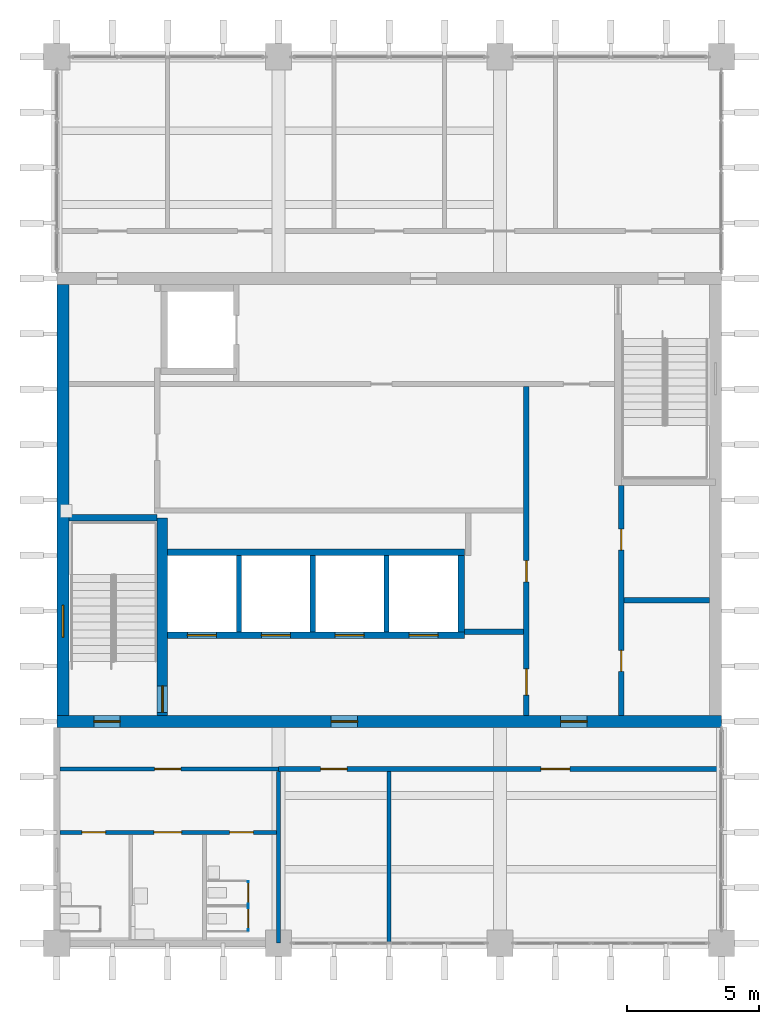
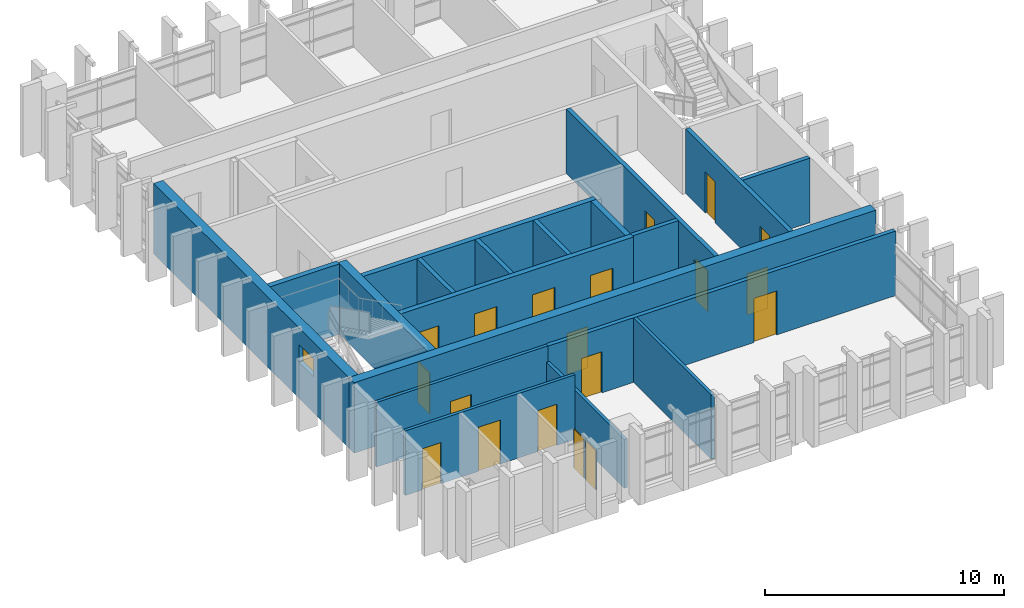
# One storey, part 7 of 11: 21 walls, 20 doors, 1 window, 21 openings.
"""IFC4 building model written with IfcOpenShell, lengths in metres."""

from ifc_helpers import new_model, si_unit, direction, frame, frame_2d, origin, place, context, subcontext, project, spatial, rectangle, extrude, material, layer, layer_set, type_object, element, fill, save


model = new_model("IFC4")

# Units and contexts
model_context = context("Model", 3, precision=1e-05, world=origin(), true_north=direction((0.0, 1.0)))
body_context = subcontext(model_context, "Body", "Model", "MODEL_VIEW")
ifc_project = project(units=[si_unit("LENGTHUNIT", "METRE"), si_unit("AREAUNIT", "SQUARE_METRE"), si_unit("VOLUMEUNIT", "CUBIC_METRE"), si_unit("PLANEANGLEUNIT", "RADIAN"), si_unit("MASSUNIT", "GRAM", prefix="KILO")], contexts=[model_context])

# Site, building, storey
site_placement = place(None, origin())
site = spatial("IfcSite", under=ifc_project, at=site_placement, CompositionType="ELEMENT")
building_placement = place(site_placement, origin())
building = spatial("IfcBuilding", under=site, at=building_placement, Name="Rulbaag Community and Learning Centre", CompositionType="ELEMENT")
storey_placement = place(building_placement, frame((0.0, 0.0, 21.60009765625)))
storey = spatial("IfcBuildingStorey", under=building, at=storey_placement, Name="L05", CompositionType="ELEMENT", Elevation=21.60009765625)

# Wall, opening, door
ifc_material_1 = material(Name="High pressure laminate", Category="wood")
ifc_layer_1 = layer(ifc_material_1, 0.0400390625)
ifc_layer_set_1 = layer_set([ifc_layer_1], Name="CP-40")
wall_type_1 = type_object("IfcWallType", Name="CP-40", PredefinedType="PARTITIONING", material=ifc_layer_set_1)
wall_1_placement = place(storey_placement, frame((150.050048828125, 84.469970703125, 0.0), z_axis=(0.0, 0.0, 1.0), x_axis=(0.0, 1.0, 0.0)))
wall_1 = element("IfcWall", 1, at=wall_1_placement, inside=storey, type_object=wall_type_1, Name="Cubicle partition", PredefinedType="PARTITIONING", context=body_context, shape_type="SweptSolid", body=[
    extrude(rectangle(XDim=0.900146484375, YDim=0.0400390625, at=frame_2d((0.4501953125, 0.0))), origin(), (0.0, 0.0, 1.0), 2.0),
])
opening_1_placement = place(wall_1_placement, frame((0.050048828125, 0.0, 0.0)))
opening_1 = element("IfcOpeningElement", 2, at=opening_1_placement, cuts=wall_1, Name="Opening L05-D013", PredefinedType="OPENING", context=body_context, shape_type="SweptSolid", body=[
    extrude(rectangle(XDim=0.800048828125, YDim=2.0, at=frame_2d((0.39990234375, 1.0))), frame((0.0, 0.030029296875, 0.0), z_axis=(0.0, -1.0, 0.0), x_axis=(1.0, 0.0, 0.0)), (0.0, 0.0, 1.0), 0.06005859375),
])
door_type_1 = type_object("IfcDoorType", Name="DC-80", OperationType="SINGLE_SWING_LEFT", PredefinedType="DOOR", material=ifc_material_1)
door_1_placement = place(opening_1_placement, origin())
door_1 = element("IfcDoor", 3, at=door_1_placement, inside=storey, type_object=door_type_1, Name="Cubicle door", OperationType="SINGLE_SWING_LEFT", OverallHeight=2.0, OverallWidth=0.800048828125, PredefinedType="DOOR", context=body_context, shape_type="SweptSolid", body=[
    extrude(rectangle(XDim=0.800048828125, YDim=2.0, at=frame_2d((0.39990234375, 1.0))), frame((0.0, 0.019775390625, 0.0), z_axis=(0.0, -1.0, 0.0), x_axis=(1.0, 0.0, 0.0)), (0.0, 0.0, 1.0), 0.03955078125),
])
fill(opening_1, door_1)

wall_2_placement = place(storey_placement, frame((150.050048828125, 85.449951171875, 0.0), z_axis=(0.0, 0.0, 1.0), x_axis=(0.0, 1.0, 0.0)))
wall_2 = element("IfcWall", 4, at=wall_2_placement, inside=storey, type_object=wall_type_1, Name="Cubicle partition", PredefinedType="PARTITIONING", context=body_context, shape_type="SweptSolid", body=[
    extrude(rectangle(XDim=0.900146484375, YDim=0.0400390625, at=frame_2d((0.4501953125, 0.0))), origin(), (0.0, 0.0, 1.0), 2.0),
])
opening_2_placement = place(wall_2_placement, frame((0.050048828125, 0.0, 0.0)))
opening_2 = element("IfcOpeningElement", 5, at=opening_2_placement, cuts=wall_2, Name="Opening L05-D014", PredefinedType="OPENING", context=body_context, shape_type="SweptSolid", body=[
    extrude(rectangle(XDim=0.800048828125, YDim=2.0, at=frame_2d((0.39990234375, 1.0))), frame((0.0, 0.030029296875, 0.0), z_axis=(0.0, -1.0, 0.0), x_axis=(1.0, 0.0, 0.0)), (0.0, 0.0, 1.0), 0.06005859375),
])
door_2_placement = place(opening_2_placement, origin())
door_2 = element("IfcDoor", 6, at=door_2_placement, inside=storey, type_object=door_type_1, Name="Cubicle door", OperationType="SINGLE_SWING_LEFT", OverallHeight=2.0, OverallWidth=0.800048828125, PredefinedType="DOOR", context=body_context, shape_type="SweptSolid", body=[
    extrude(rectangle(XDim=0.800048828125, YDim=2.0, at=frame_2d((0.39990234375, 1.0))), frame((0.0, 0.019775390625, 0.0), z_axis=(0.0, -1.0, 0.0), x_axis=(1.0, 0.0, 0.0)), (0.0, 0.0, 1.0), 0.03955078125),
])
fill(opening_2, door_2)

# Wall, openings, doors
ifc_material_2 = material(Name="Concrete blockwork", Category="masonry")
ifc_layer_2 = layer(ifc_material_2, 0.199951171875)
ifc_layer_set_2 = layer_set([ifc_layer_2], Name="FW-200 FIRE WALL 200")
wall_type_2 = type_object("IfcWallType", Name="FW-200 FIRE WALL 200", PredefinedType="SOLIDWALL", material=ifc_layer_set_2)
wall_3_placement = place(storey_placement, frame((151.199951171875, 90.60009765625, 0.0), z_axis=(0.0, 0.0, 1.0), x_axis=(1.0, 0.0, 0.0)))
wall_3 = element("IfcWall", 7, at=wall_3_placement, inside=storey, type_object=wall_type_2, Name="Fire wall L05 3", PredefinedType="SOLIDWALL", context=body_context, shape_type="SweptSolid", body=[
    extrude(rectangle(XDim=16.800048828125, YDim=0.199951171875, at=frame_2d((8.39990234375, 0.0))), origin(), (0.0, 0.0, 1.0), 3.2998046875),
])
opening_3_placement = place(wall_3_placement, frame((1.60009765625, 0.0, 0.0)))
opening_3 = element("IfcOpeningElement", 8, at=opening_3_placement, cuts=wall_3, Name="Opening L05-D017", PredefinedType="OPENING", context=body_context, shape_type="SweptSolid", body=[
    extrude(rectangle(XDim=1.0, YDim=2.10009765625, at=frame_2d((0.5, 1.050048828125))), frame((0.0, 0.10986328125, 0.0), z_axis=(0.0, -1.0, 0.0), x_axis=(1.0, 0.0, 0.0)), (0.0, 0.0, 1.0), 0.219970703125),
])
opening_4_placement = place(wall_3_placement, frame((9.949951171875, 0.0, 0.0)))
opening_4 = element("IfcOpeningElement", 9, at=opening_4_placement, cuts=wall_3, Name="Opening L05-D027", PredefinedType="OPENING", context=body_context, shape_type="SweptSolid", body=[
    extrude(rectangle(XDim=1.10009765625, YDim=2.25, at=frame_2d((0.550048828125, 1.125))), frame((0.0, 0.10986328125, 0.0), z_axis=(0.0, -1.0, 0.0), x_axis=(1.0, 0.0, 0.0)), (0.0, 0.0, 1.0), 0.219970703125),
])
ifc_material_3 = material(Name="Timber", Category="wood")
door_type_2 = type_object("IfcDoorType", Name="D-1100 OFFICE SUITE ENTRANCE DOOR 1100 x 2250", OperationType="SINGLE_SWING_LEFT", PredefinedType="DOOR", material=ifc_material_3)
door_3_placement = place(opening_4_placement, origin())
door_3 = element("IfcDoor", 10, at=door_3_placement, inside=storey, type_object=door_type_2, Name="Door L05-D027", OperationType="SINGLE_SWING_RIGHT", OverallHeight=2.25, OverallWidth=1.10009765625, PredefinedType="DOOR", context=body_context, shape_type="SweptSolid", body=[
    extrude(rectangle(XDim=1.10009765625, YDim=2.25, at=frame_2d((0.550048828125, 1.125))), frame((0.0, 0.02490234375, 0.0), z_axis=(0.0, -1.0, 0.0), x_axis=(1.0, 0.0, 0.0)), (0.0, 0.0, 1.0), 0.050048828125),
])
fill(opening_4, door_3)
ifc_material_4 = material(Name="Galvanised steel", Category="steel")
door_type_3 = type_object("IfcDoorType", Name="FD-1000 FIRE DOOR 1000 x 2100", OperationType="SINGLE_SWING_LEFT", PredefinedType="DOOR", material=ifc_material_4)
door_4_placement = place(opening_3_placement, origin())
door_4 = element("IfcDoor", 11, at=door_4_placement, inside=storey, type_object=door_type_3, Name="Door L05-D017", OperationType="SINGLE_SWING_LEFT", OverallHeight=2.10009765625, OverallWidth=1.0, PredefinedType="DOOR", context=body_context, shape_type="SweptSolid", body=[
    extrude(rectangle(XDim=1.0, YDim=2.10009765625, at=frame_2d((0.5, 1.050048828125))), frame((0.0, 0.02490234375, 0.0), z_axis=(0.0, -1.0, 0.0), x_axis=(1.0, 0.0, 0.0)), (0.0, 0.0, 1.0), 0.050048828125),
])
fill(opening_3, door_4)

# Walls
wall_4_placement = place(storey_placement, frame((158.25, 95.800048828125, 0.0), z_axis=(0.0, 0.0, 1.0), x_axis=(1.0, 0.0, 0.0)))
element("IfcWall", 12, at=wall_4_placement, inside=storey, type_object=wall_type_2, Name="Fire wall L05 5", PredefinedType="SOLIDWALL", context=body_context, shape_type="SweptSolid", body=[
    extrude(rectangle(XDim=2.25, YDim=0.199951171875, at=frame_2d((1.125, 0.0))), origin(), (0.0, 0.0, 1.0), 3.2998046875),
])
wall_5_placement = place(storey_placement, frame((164.300048828125, 97.0, 0.0), z_axis=(0.0, 0.0, 1.0), x_axis=(1.0, 0.0, 0.0)))
element("IfcWall", 13, at=wall_5_placement, inside=storey, type_object=wall_type_2, Name="Fire wall L05 6", PredefinedType="SOLIDWALL", context=body_context, shape_type="SweptSolid", body=[
    extrude(rectangle(XDim=3.25, YDim=0.199951171875, at=frame_2d((1.625, 0.0))), origin(), (0.0, 0.0, 1.0), 3.2998046875),
])

# Wall, openings, doors
wall_6_placement = place(storey_placement, frame((160.60009765625, 92.625, 0.0), z_axis=(0.0, 0.0, 1.0), x_axis=(0.0, 1.0, 0.0)))
wall_6 = element("IfcWall", 14, at=wall_6_placement, inside=storey, type_object=wall_type_2, Name="Fire wall L05 22", PredefinedType="SOLIDWALL", context=body_context, shape_type="SweptSolid", body=[
    extrude(rectangle(XDim=12.47509765625, YDim=0.199951171875, at=frame_2d((6.237548828125, 0.0))), origin(), (0.0, 0.0, 1.0), 3.2998046875),
])
opening_5_placement = place(wall_6_placement, frame((5.074951171875, 0.0, 0.0)))
opening_5 = element("IfcOpeningElement", 15, at=opening_5_placement, cuts=wall_6, Name="Opening L05-D026", PredefinedType="OPENING", context=body_context, shape_type="SweptSolid", body=[
    extrude(rectangle(XDim=0.800048828125, YDim=2.10009765625, at=frame_2d((0.39990234375, 1.050048828125))), frame((0.0, 0.10986328125, 0.0), z_axis=(0.0, -1.0, 0.0), x_axis=(1.0, 0.0, 0.0)), (0.0, 0.0, 1.0), 0.219970703125),
])
opening_6_placement = place(wall_6_placement, frame((0.77490234375, 0.0, 0.0)))
opening_6 = element("IfcOpeningElement", 16, at=opening_6_placement, cuts=wall_6, Name="Opening L05-D025", PredefinedType="OPENING", context=body_context, shape_type="SweptSolid", body=[
    extrude(rectangle(XDim=1.0, YDim=2.10009765625, at=frame_2d((0.5, 1.050048828125))), frame((0.0, 0.10986328125, 0.0), z_axis=(0.0, -1.0, 0.0), x_axis=(1.0, 0.0, 0.0)), (0.0, 0.0, 1.0), 0.219970703125),
])
door_5_placement = place(opening_6_placement, origin())
door_5 = element("IfcDoor", 17, at=door_5_placement, inside=storey, type_object=door_type_3, Name="Door L05-D025", OperationType="SINGLE_SWING_LEFT", OverallHeight=2.10009765625, OverallWidth=1.0, PredefinedType="DOOR", context=body_context, shape_type="SweptSolid", body=[
    extrude(rectangle(XDim=1.0, YDim=2.10009765625, at=frame_2d((0.5, 1.050048828125))), frame((0.0, 0.02490234375, 0.0), z_axis=(0.0, -1.0, 0.0), x_axis=(1.0, 0.0, 0.0)), (0.0, 0.0, 1.0), 0.050048828125),
])
fill(opening_6, door_5)
door_type_4 = type_object("IfcDoorType", Name="FDR-800 RISER FIRE DOOR 800 x 2100", OperationType="SINGLE_SWING_LEFT", PredefinedType="DOOR", material=ifc_material_4)
door_6_placement = place(opening_5_placement, origin())
door_6 = element("IfcDoor", 18, at=door_6_placement, inside=storey, type_object=door_type_4, Name="Riser door L05-D022", OperationType="SINGLE_SWING_RIGHT", OverallHeight=2.10009765625, OverallWidth=0.800048828125, PredefinedType="DOOR", context=body_context, shape_type="SweptSolid", body=[
    extrude(rectangle(XDim=0.800048828125, YDim=2.10009765625, at=frame_2d((0.39990234375, 1.050048828125))), frame((0.0, 0.02490234375, 0.0), z_axis=(0.0, -1.0, 0.0), x_axis=(1.0, 0.0, 0.0)), (0.0, 0.0, 1.0), 0.050048828125),
])
fill(opening_5, door_6)

wall_7_placement = place(storey_placement, frame((164.199951171875, 92.625, 0.0), z_axis=(0.0, 0.0, 1.0), x_axis=(0.0, 1.0, 0.0)))
wall_7 = element("IfcWall", 19, at=wall_7_placement, inside=storey, type_object=wall_type_2, Name="Fire wall L05 24", PredefinedType="SOLIDWALL", context=body_context, shape_type="SweptSolid", body=[
    extrude(rectangle(XDim=8.72509765625, YDim=0.199951171875, at=frame_2d((4.362548828125, 0.0))), origin(), (0.0, 0.0, 1.0), 3.2998046875),
])
opening_7_placement = place(wall_7_placement, frame((1.675048828125, 0.0, 0.0)))
opening_7 = element("IfcOpeningElement", 20, at=opening_7_placement, cuts=wall_7, Name="Opening L05-D031", PredefinedType="OPENING", context=body_context, shape_type="SweptSolid", body=[
    extrude(rectangle(XDim=0.800048828125, YDim=2.10009765625, at=frame_2d((0.39990234375, 1.050048828125))), frame((0.0, 0.10986328125, 0.0), z_axis=(0.0, -1.0, 0.0), x_axis=(1.0, 0.0, 0.0)), (0.0, 0.0, 1.0), 0.219970703125),
])
opening_8_placement = place(wall_7_placement, frame((6.27490234375, 0.0, 0.0)))
opening_8 = element("IfcOpeningElement", 21, at=opening_8_placement, cuts=wall_7, Name="Opening L05-D032", PredefinedType="OPENING", context=body_context, shape_type="SweptSolid", body=[
    extrude(rectangle(XDim=0.800048828125, YDim=2.10009765625, at=frame_2d((0.39990234375, 1.050048828125))), frame((0.0, 0.10986328125, 0.0), z_axis=(0.0, -1.0, 0.0), x_axis=(1.0, 0.0, 0.0)), (0.0, 0.0, 1.0), 0.219970703125),
])
door_7_placement = place(opening_7_placement, origin())
door_7 = element("IfcDoor", 22, at=door_7_placement, inside=storey, type_object=door_type_4, Name="Riser door L05-D020", OperationType="SINGLE_SWING_LEFT", OverallHeight=2.10009765625, OverallWidth=0.800048828125, PredefinedType="DOOR", context=body_context, shape_type="SweptSolid", body=[
    extrude(rectangle(XDim=0.800048828125, YDim=2.10009765625, at=frame_2d((0.39990234375, 1.050048828125))), frame((0.0, 0.02490234375, 0.0), z_axis=(0.0, -1.0, 0.0), x_axis=(1.0, 0.0, 0.0)), (0.0, 0.0, 1.0), 0.050048828125),
])
fill(opening_7, door_7)
door_8_placement = place(opening_8_placement, origin())
door_8 = element("IfcDoor", 23, at=door_8_placement, inside=storey, type_object=door_type_4, Name="Riser door L05-D021", OperationType="SINGLE_SWING_RIGHT", OverallHeight=2.10009765625, OverallWidth=0.800048828125, PredefinedType="DOOR", context=body_context, shape_type="SweptSolid", body=[
    extrude(rectangle(XDim=0.800048828125, YDim=2.10009765625, at=frame_2d((0.39990234375, 1.050048828125))), frame((0.0, 0.02490234375, 0.0), z_axis=(0.0, -1.0, 0.0), x_axis=(1.0, 0.0, 0.0)), (0.0, 0.0, 1.0), 0.050048828125),
])
fill(opening_8, door_8)

ifc_layer_3 = layer(ifc_material_2, 0.14990234375)
ifc_layer_set_3 = layer_set([ifc_layer_3], Name="IP-150 PARTITION 150")
wall_type_3 = type_object("IfcWallType", Name="IP-150 PARTITION 150", PredefinedType="PARTITIONING", material=ifc_layer_set_3)
wall_8_placement = place(storey_placement, frame((142.925048828125, 88.199951171875, 0.0), z_axis=(0.0, 0.0, 1.0), x_axis=(1.0, 0.0, 0.0)))
wall_8 = element("IfcWall", 24, at=wall_8_placement, inside=storey, type_object=wall_type_3, Name="Partition L05 1", PredefinedType="PARTITIONING", context=body_context, shape_type="SweptSolid", body=[
    extrude(rectangle(XDim=8.199951171875, YDim=0.14990234375, at=frame_2d((4.10009765625, 0.0))), origin(), (0.0, 0.0, 1.0), 3.2998046875),
])
opening_9_placement = place(wall_8_placement, frame((0.824951171875, 0.0, 0.0)))
opening_9 = element("IfcOpeningElement", 25, at=opening_9_placement, cuts=wall_8, Name="Opening L05-D001", PredefinedType="OPENING", context=body_context, shape_type="SweptSolid", body=[
    extrude(rectangle(XDim=0.89990234375, YDim=2.10009765625, at=frame_2d((0.449951171875, 1.050048828125))), frame((0.0, 0.0849609375, 0.0), z_axis=(0.0, -1.0, 0.0), x_axis=(1.0, 0.0, 0.0)), (0.0, 0.0, 1.0), 0.169921875),
])
opening_10_placement = place(wall_8_placement, frame((3.550048828125, 0.0, 0.0)))
opening_10 = element("IfcOpeningElement", 26, at=opening_10_placement, cuts=wall_8, Name="Opening L05-D008", PredefinedType="OPENING", context=body_context, shape_type="SweptSolid", body=[
    extrude(rectangle(XDim=1.050048828125, YDim=2.25, at=frame_2d((0.52490234375, 1.125))), frame((0.0, 0.0849609375, 0.0), z_axis=(0.0, -1.0, 0.0), x_axis=(1.0, 0.0, 0.0)), (0.0, 0.0, 1.0), 0.169921875),
])
opening_11_placement = place(wall_8_placement, frame((6.425048828125, 0.0, 0.0)))
opening_11 = element("IfcOpeningElement", 27, at=opening_11_placement, cuts=wall_8, Name="Opening L05-D012", PredefinedType="OPENING", context=body_context, shape_type="SweptSolid", body=[
    extrude(rectangle(XDim=0.89990234375, YDim=2.10009765625, at=frame_2d((0.449951171875, 1.050048828125))), frame((0.0, 0.0849609375, 0.0), z_axis=(0.0, -1.0, 0.0), x_axis=(1.0, 0.0, 0.0)), (0.0, 0.0, 1.0), 0.169921875),
])
door_type_5 = type_object("IfcDoorType", Name="D-1050 ACCESSIBLE TOILET DOOR 1050 x 2250", OperationType="SINGLE_SWING_LEFT", PredefinedType="DOOR", material=ifc_material_3)
door_9_placement = place(opening_10_placement, origin())
door_9 = element("IfcDoor", 28, at=door_9_placement, inside=storey, type_object=door_type_5, Name="Door L05-D008", OperationType="SINGLE_SWING_LEFT", OverallHeight=2.25, OverallWidth=1.050048828125, PredefinedType="DOOR", context=body_context, shape_type="SweptSolid", body=[
    extrude(rectangle(XDim=1.050048828125, YDim=2.25, at=frame_2d((0.52490234375, 1.125))), frame((0.0, 0.02490234375, 0.0), z_axis=(0.0, -1.0, 0.0), x_axis=(1.0, 0.0, 0.0)), (0.0, 0.0, 1.0), 0.050048828125),
])
fill(opening_10, door_9)
door_type_6 = type_object("IfcDoorType", Name="DW-900 TOILET DOOR 900 x 2100", OperationType="SINGLE_SWING_LEFT", PredefinedType="DOOR", material=ifc_material_3)
door_10_placement = place(opening_9_placement, origin())
door_10 = element("IfcDoor", 29, at=door_10_placement, inside=storey, type_object=door_type_6, Name="Door L05-D001", OperationType="SINGLE_SWING_LEFT", OverallHeight=2.10009765625, OverallWidth=0.89990234375, PredefinedType="DOOR", context=body_context, shape_type="SweptSolid", body=[
    extrude(rectangle(XDim=0.89990234375, YDim=2.10009765625, at=frame_2d((0.449951171875, 1.050048828125))), frame((0.0, 0.02490234375, 0.0), z_axis=(0.0, -1.0, 0.0), x_axis=(1.0, 0.0, 0.0)), (0.0, 0.0, 1.0), 0.050048828125),
])
fill(opening_9, door_10)
door_11_placement = place(opening_11_placement, origin())
door_11 = element("IfcDoor", 30, at=door_11_placement, inside=storey, type_object=door_type_6, Name="Door L05-D012", OperationType="SINGLE_SWING_RIGHT", OverallHeight=2.10009765625, OverallWidth=0.89990234375, PredefinedType="DOOR", context=body_context, shape_type="SweptSolid", body=[
    extrude(rectangle(XDim=0.89990234375, YDim=2.10009765625, at=frame_2d((0.449951171875, 1.050048828125))), frame((0.0, 0.02490234375, 0.0), z_axis=(0.0, -1.0, 0.0), x_axis=(1.0, 0.0, 0.0)), (0.0, 0.0, 1.0), 0.050048828125),
])
fill(opening_11, door_11)

# Wall, opening, door
wall_9_placement = place(storey_placement, frame((142.925048828125, 90.60009765625, 0.0), z_axis=(0.0, 0.0, 1.0), x_axis=(1.0, 0.0, 0.0)))
wall_9 = element("IfcWall", 31, at=wall_9_placement, inside=storey, type_object=wall_type_3, Name="Partition L05 2", PredefinedType="PARTITIONING", context=body_context, shape_type="SweptSolid", body=[
    extrude(rectangle(XDim=8.27490234375, YDim=0.14990234375, at=frame_2d((4.137451171875, 0.0))), origin(), (0.0, 0.0, 1.0), 3.2998046875),
])
opening_12_placement = place(wall_9_placement, frame((3.574951171875, 0.0, 0.0)))
opening_12 = element("IfcOpeningElement", 32, at=opening_12_placement, cuts=wall_9, Name="Opening L05-D009", PredefinedType="OPENING", context=body_context, shape_type="SweptSolid", body=[
    extrude(rectangle(XDim=1.0, YDim=2.10009765625, at=frame_2d((0.5, 1.050048828125))), frame((0.0, 0.0849609375, 0.0), z_axis=(0.0, -1.0, 0.0), x_axis=(1.0, 0.0, 0.0)), (0.0, 0.0, 1.0), 0.169921875),
])
door_type_7 = type_object("IfcDoorType", Name="D-1000 DOOR 1000 x 2100", OperationType="SINGLE_SWING_LEFT", PredefinedType="DOOR", material=ifc_material_3)
door_12_placement = place(opening_12_placement, origin())
door_12 = element("IfcDoor", 33, at=door_12_placement, inside=storey, type_object=door_type_7, Name="Door L05-D009", OperationType="SINGLE_SWING_RIGHT", OverallHeight=2.10009765625, OverallWidth=1.0, PredefinedType="DOOR", context=body_context, shape_type="SweptSolid", body=[
    extrude(rectangle(XDim=1.0, YDim=2.10009765625, at=frame_2d((0.5, 1.050048828125))), frame((0.0, 0.02490234375, 0.0), z_axis=(0.0, -1.0, 0.0), x_axis=(1.0, 0.0, 0.0)), (0.0, 0.0, 1.0), 0.050048828125),
])
fill(opening_12, door_12)

# Walls
wall_10_placement = place(storey_placement, frame((151.199951171875, 84.0, 0.0), z_axis=(0.0, 0.0, 1.0), x_axis=(0.0, 1.0, 0.0)))
element("IfcWall", 34, at=wall_10_placement, inside=storey, type_object=wall_type_3, Name="Partition L05 17", PredefinedType="PARTITIONING", context=body_context, shape_type="SweptSolid", body=[
    extrude(rectangle(XDim=6.5, YDim=0.14990234375, at=frame_2d((3.25, 0.0))), origin(), (0.0, 0.0, 1.0), 2.5),
])
wall_11_placement = place(storey_placement, frame((155.39990234375, 84.0, 0.0), z_axis=(0.0, 0.0, 1.0), x_axis=(0.0, 1.0, 0.0)))
element("IfcWall", 35, at=wall_11_placement, inside=storey, type_object=wall_type_3, Name="Partition L05 19", PredefinedType="PARTITIONING", context=body_context, shape_type="SweptSolid", body=[
    extrude(rectangle(XDim=6.5, YDim=0.14990234375, at=frame_2d((3.25, 0.0))), origin(), (0.0, 0.0, 1.0), 3.2998046875),
])

# Wall, openings, doors
ifc_material_5 = material(Name="Concrete M60", Category="concrete")
ifc_layer_4 = layer(ifc_material_5, 0.449951171875)
ifc_layer_set_4 = layer_set([ifc_layer_4], Name="W1 Core wall 450 Concrete M60")
wall_type_4 = type_object("IfcWallType", Name="W1 Core wall 450 Concrete M60", PredefinedType="SHEAR", material=ifc_layer_set_4)
wall_12_placement = place(storey_placement, frame((142.800048828125, 92.39990234375, -0.25), z_axis=(0.0, 0.0, 1.0), x_axis=(1.0, 0.0, 0.0)))
wall_12 = element("IfcWall", 36, at=wall_12_placement, inside=storey, type_object=wall_type_4, Name="WL-CORE-S-L05", PredefinedType="SHEAR", context=body_context, shape_type="SweptSolid", body=[
    extrude(rectangle(XDim=25.199951171875, YDim=0.449951171875, at=frame_2d((12.60009765625, 0.0))), origin(), (0.0, 0.0, 1.0), 3.599853515625),
])
opening_13_placement = place(wall_12_placement, frame((1.39990234375, 0.0, 0.25)))
opening_13 = element("IfcOpeningElement", 37, at=opening_13_placement, cuts=wall_12, Name="Opening L05-D003", PredefinedType="OPENING", context=body_context, shape_type="SweptSolid", body=[
    extrude(rectangle(XDim=1.0, YDim=2.10009765625, at=frame_2d((0.5, 1.050048828125))), frame((0.0, 0.23486328125, 0.0), z_axis=(0.0, -1.0, 0.0), x_axis=(1.0, 0.0, 0.0)), (0.0, 0.0, 1.0), 0.469970703125),
])
opening_14_placement = place(wall_12_placement, frame((19.10009765625, 0.0, 0.25)))
opening_14 = element("IfcOpeningElement", 38, at=opening_14_placement, cuts=wall_12, Name="Opening L05-D028", PredefinedType="OPENING", context=body_context, shape_type="SweptSolid", body=[
    extrude(rectangle(XDim=1.0, YDim=2.10009765625, at=frame_2d((0.5, 1.050048828125))), frame((0.0, 0.23486328125, 0.0), z_axis=(0.0, -1.0, 0.0), x_axis=(1.0, 0.0, 0.0)), (0.0, 0.0, 1.0), 0.469970703125),
])
opening_15_placement = place(wall_12_placement, frame((10.39990234375, 0.0, 0.25)))
opening_15 = element("IfcOpeningElement", 39, at=opening_15_placement, cuts=wall_12, Name="Opening L05-D018", PredefinedType="OPENING", context=body_context, shape_type="SweptSolid", body=[
    extrude(rectangle(XDim=1.0, YDim=2.10009765625, at=frame_2d((0.5, 1.050048828125))), frame((0.0, 0.23486328125, 0.0), z_axis=(0.0, -1.0, 0.0), x_axis=(1.0, 0.0, 0.0)), (0.0, 0.0, 1.0), 0.469970703125),
])
door_13_placement = place(opening_14_placement, origin())
door_13 = element("IfcDoor", 40, at=door_13_placement, inside=storey, type_object=door_type_7, Name="Door L05-D028", OperationType="SINGLE_SWING_LEFT", OverallHeight=2.10009765625, OverallWidth=1.0, PredefinedType="DOOR", context=body_context, shape_type="SweptSolid", body=[
    extrude(rectangle(XDim=1.0, YDim=2.10009765625, at=frame_2d((0.5, 1.050048828125))), frame((0.0, 0.02490234375, 0.0), z_axis=(0.0, -1.0, 0.0), x_axis=(1.0, 0.0, 0.0)), (0.0, 0.0, 1.0), 0.050048828125),
])
fill(opening_14, door_13)
door_14_placement = place(opening_13_placement, origin())
door_14 = element("IfcDoor", 41, at=door_14_placement, inside=storey, type_object=door_type_3, Name="Door L05-D003", OperationType="SINGLE_SWING_RIGHT", OverallHeight=2.10009765625, OverallWidth=1.0, PredefinedType="DOOR", context=body_context, shape_type="SweptSolid", body=[
    extrude(rectangle(XDim=1.0, YDim=2.10009765625, at=frame_2d((0.5, 1.050048828125))), frame((0.0, 0.02490234375, 0.0), z_axis=(0.0, -1.0, 0.0), x_axis=(1.0, 0.0, 0.0)), (0.0, 0.0, 1.0), 0.050048828125),
])
fill(opening_13, door_14)
door_15_placement = place(opening_15_placement, origin())
door_15 = element("IfcDoor", 42, at=door_15_placement, inside=storey, type_object=door_type_3, Name="Door L05-D018", OperationType="SINGLE_SWING_RIGHT", OverallHeight=2.10009765625, OverallWidth=1.0, PredefinedType="DOOR", context=body_context, shape_type="SweptSolid", body=[
    extrude(rectangle(XDim=1.0, YDim=2.10009765625, at=frame_2d((0.5, 1.050048828125))), frame((0.0, 0.02490234375, 0.0), z_axis=(0.0, -1.0, 0.0), x_axis=(1.0, 0.0, 0.0)), (0.0, 0.0, 1.0), 0.050048828125),
])
fill(opening_15, door_15)

# Wall, opening, window
wall_13_placement = place(storey_placement, frame((143.02490234375, 92.625, -0.25), z_axis=(0.0, 0.0, 1.0), x_axis=(0.0, 1.0, 0.0)))
wall_13 = element("IfcWall", 43, at=wall_13_placement, inside=storey, type_object=wall_type_4, Name="WL-CORE-W-L05", PredefinedType="SHEAR", context=body_context, shape_type="SweptSolid", body=[
    extrude(rectangle(XDim=16.35009765625, YDim=0.449951171875, at=frame_2d((8.175048828125, 0.0))), origin(), (0.0, 0.0, 1.0), 3.599853515625),
])
opening_16_placement = place(wall_13_placement, frame((2.97509765625, 0.0, 1.85009765625)))
opening_16 = element("IfcOpeningElement", 44, at=opening_16_placement, cuts=wall_13, Name="Opening WN19", PredefinedType="OPENING", context=body_context, shape_type="SweptSolid", body=[
    extrude(rectangle(XDim=1.199951171875, YDim=0.89990234375, at=frame_2d((0.60009765625, 0.449951171875))), frame((0.0, 0.23486328125, 0.0), z_axis=(0.0, -1.0, 0.0), x_axis=(1.0, 0.0, 0.0)), (0.0, 0.0, 1.0), 0.469970703125),
])
ifc_material_6 = material(Name="Aluminium", Category="aluminium")
window_type = type_object("IfcWindowType", Name="WS-12", PartitioningType="SINGLE_PANEL", PredefinedType="WINDOW", material=ifc_material_6)
window_placement = place(opening_16_placement, origin())
window = element("IfcWindow", 45, at=window_placement, inside=storey, type_object=window_type, Name="Stair window", OverallHeight=0.89990234375, OverallWidth=1.199951171875, PartitioningType="SINGLE_PANEL", PredefinedType="WINDOW", context=body_context, shape_type="SweptSolid", body=[
    extrude(rectangle(XDim=1.199951171875, YDim=0.89990234375, at=frame_2d((0.60009765625, 0.449951171875))), frame((0.0, 0.030029296875, 0.0), z_axis=(0.0, -1.0, 0.0), x_axis=(1.0, 0.0, 0.0)), (0.0, 0.0, 1.0), 0.06005859375),
])
fill(opening_16, window)

# Wall
ifc_material_7 = material(Name="Concrete M40", Category="concrete")
ifc_layer_5 = layer(ifc_material_7, 0.25)
ifc_layer_set_5 = layer_set([ifc_layer_5], Name="W5 Shaft wall 250 Concrete M40")
wall_type_5 = type_object("IfcWallType", Name="W5 Shaft wall 250 Concrete M40", PredefinedType="SHEAR", material=ifc_layer_set_5)
wall_14_placement = place(storey_placement, frame((143.25, 100.125, -0.25), z_axis=(0.0, 0.0, 1.0), x_axis=(1.0, 0.0, 0.0)))
element("IfcWall", 46, at=wall_14_placement, inside=storey, type_object=wall_type_5, Name="WL-ST1-N-L05", PredefinedType="SHEAR", context=body_context, shape_type="SweptSolid", body=[
    extrude(rectangle(XDim=3.35009765625, YDim=0.25, at=frame_2d((1.675048828125, 0.0))), origin(), (0.0, 0.0, 1.0), 3.599853515625),
])

# Wall, openings, doors
wall_15_placement = place(storey_placement, frame((147.0, 95.675048828125, -0.25), z_axis=(0.0, 0.0, 1.0), x_axis=(1.0, 0.0, 0.0)))
wall_15 = element("IfcWall", 47, at=wall_15_placement, inside=storey, type_object=wall_type_5, Name="WL-LP-S-L05", PredefinedType="SHEAR", context=body_context, shape_type="SweptSolid", body=[
    extrude(rectangle(XDim=11.25, YDim=0.25, at=frame_2d((5.625, 0.0))), origin(), (0.0, 0.0, 1.0), 3.599853515625),
])
opening_17_placement = place(wall_15_placement, frame((0.75, 0.0, 0.25)))
opening_17 = element("IfcOpeningElement", 48, at=opening_17_placement, cuts=wall_15, Name="Opening L05-D010", PredefinedType="OPENING", context=body_context, shape_type="SweptSolid", body=[
    extrude(rectangle(XDim=1.10009765625, YDim=2.10009765625, at=frame_2d((0.550048828125, 1.050048828125))), frame((0.0, 0.135009765625, 0.0), z_axis=(0.0, -1.0, 0.0), x_axis=(1.0, 0.0, 0.0)), (0.0, 0.0, 1.0), 0.27001953125),
])
opening_18_placement = place(wall_15_placement, frame((3.550048828125, 0.0, 0.25)))
opening_18 = element("IfcOpeningElement", 49, at=opening_18_placement, cuts=wall_15, Name="Opening L05-D016", PredefinedType="OPENING", context=body_context, shape_type="SweptSolid", body=[
    extrude(rectangle(XDim=1.10009765625, YDim=2.10009765625, at=frame_2d((0.550048828125, 1.050048828125))), frame((0.0, 0.135009765625, 0.0), z_axis=(0.0, -1.0, 0.0), x_axis=(1.0, 0.0, 0.0)), (0.0, 0.0, 1.0), 0.27001953125),
])
opening_19_placement = place(wall_15_placement, frame((6.35009765625, 0.0, 0.25)))
opening_19 = element("IfcOpeningElement", 50, at=opening_19_placement, cuts=wall_15, Name="Opening L05-D019", PredefinedType="OPENING", context=body_context, shape_type="SweptSolid", body=[
    extrude(rectangle(XDim=1.10009765625, YDim=2.10009765625, at=frame_2d((0.550048828125, 1.050048828125))), frame((0.0, 0.135009765625, 0.0), z_axis=(0.0, -1.0, 0.0), x_axis=(1.0, 0.0, 0.0)), (0.0, 0.0, 1.0), 0.27001953125),
])
opening_20_placement = place(wall_15_placement, frame((9.14990234375, 0.0, 0.25)))
opening_20 = element("IfcOpeningElement", 51, at=opening_20_placement, cuts=wall_15, Name="Opening L05-D022", PredefinedType="OPENING", context=body_context, shape_type="SweptSolid", body=[
    extrude(rectangle(XDim=1.10009765625, YDim=2.10009765625, at=frame_2d((0.550048828125, 1.050048828125))), frame((0.0, 0.135009765625, 0.0), z_axis=(0.0, -1.0, 0.0), x_axis=(1.0, 0.0, 0.0)), (0.0, 0.0, 1.0), 0.27001953125),
])
ifc_material_8 = material(Name="Stainless steel grade 304", Category="steel")
door_type_8 = type_object("IfcDoorType", Name="LD-1100 LIFT LANDING DOOR 1100 x 2100", OperationType="SLIDING_TO_LEFT", PredefinedType="DOOR", material=ifc_material_8)
door_16_placement = place(opening_17_placement, origin())
door_16 = element("IfcDoor", 52, at=door_16_placement, inside=storey, type_object=door_type_8, Name="Lift landing door LP1 L05", OperationType="SLIDING_TO_LEFT", OverallHeight=2.10009765625, OverallWidth=1.10009765625, PredefinedType="DOOR", context=body_context, shape_type="SweptSolid", body=[
    extrude(rectangle(XDim=1.10009765625, YDim=2.10009765625, at=frame_2d((0.550048828125, 1.050048828125))), frame((0.0, 0.02490234375, 0.0), z_axis=(0.0, -1.0, 0.0), x_axis=(1.0, 0.0, 0.0)), (0.0, 0.0, 1.0), 0.050048828125),
])
fill(opening_17, door_16)
door_17_placement = place(opening_18_placement, origin())
door_17 = element("IfcDoor", 53, at=door_17_placement, inside=storey, type_object=door_type_8, Name="Lift landing door LP2 L05", OperationType="SLIDING_TO_LEFT", OverallHeight=2.10009765625, OverallWidth=1.10009765625, PredefinedType="DOOR", context=body_context, shape_type="SweptSolid", body=[
    extrude(rectangle(XDim=1.10009765625, YDim=2.10009765625, at=frame_2d((0.550048828125, 1.050048828125))), frame((0.0, 0.02490234375, 0.0), z_axis=(0.0, -1.0, 0.0), x_axis=(1.0, 0.0, 0.0)), (0.0, 0.0, 1.0), 0.050048828125),
])
fill(opening_18, door_17)
door_18_placement = place(opening_19_placement, origin())
door_18 = element("IfcDoor", 54, at=door_18_placement, inside=storey, type_object=door_type_8, Name="Lift landing door LP3 L05", OperationType="SLIDING_TO_LEFT", OverallHeight=2.10009765625, OverallWidth=1.10009765625, PredefinedType="DOOR", context=body_context, shape_type="SweptSolid", body=[
    extrude(rectangle(XDim=1.10009765625, YDim=2.10009765625, at=frame_2d((0.550048828125, 1.050048828125))), frame((0.0, 0.02490234375, 0.0), z_axis=(0.0, -1.0, 0.0), x_axis=(1.0, 0.0, 0.0)), (0.0, 0.0, 1.0), 0.050048828125),
])
fill(opening_19, door_18)
door_19_placement = place(opening_20_placement, origin())
door_19 = element("IfcDoor", 55, at=door_19_placement, inside=storey, type_object=door_type_8, Name="Lift landing door LP4 L05", OperationType="SLIDING_TO_LEFT", OverallHeight=2.10009765625, OverallWidth=1.10009765625, PredefinedType="DOOR", context=body_context, shape_type="SweptSolid", body=[
    extrude(rectangle(XDim=1.10009765625, YDim=2.10009765625, at=frame_2d((0.550048828125, 1.050048828125))), frame((0.0, 0.02490234375, 0.0), z_axis=(0.0, -1.0, 0.0), x_axis=(1.0, 0.0, 0.0)), (0.0, 0.0, 1.0), 0.050048828125),
])
fill(opening_20, door_19)

# Walls
wall_16_placement = place(storey_placement, frame((147.0, 98.824951171875, -0.25), z_axis=(0.0, 0.0, 1.0), x_axis=(1.0, 0.0, 0.0)))
element("IfcWall", 56, at=wall_16_placement, inside=storey, type_object=wall_type_5, Name="WL-LP-N-L05", PredefinedType="SHEAR", context=body_context, shape_type="SweptSolid", body=[
    extrude(rectangle(XDim=11.25, YDim=0.25, at=frame_2d((5.625, 0.0))), origin(), (0.0, 0.0, 1.0), 3.599853515625),
])
wall_17_placement = place(storey_placement, frame((158.125, 95.800048828125, -0.25), z_axis=(0.0, 0.0, 1.0), x_axis=(0.0, 1.0, 0.0)))
element("IfcWall", 57, at=wall_17_placement, inside=storey, type_object=wall_type_5, Name="WL-LP-E-L05", PredefinedType="SHEAR", context=body_context, shape_type="SweptSolid", body=[
    extrude(rectangle(XDim=2.89990234375, YDim=0.25, at=frame_2d((1.449951171875, 0.0))), origin(), (0.0, 0.0, 1.0), 3.599853515625),
])
ifc_layer_6 = layer(ifc_material_7, 0.199951171875)
ifc_layer_set_6 = layer_set([ifc_layer_6], Name="W6 Shaft divider 200 Concrete M40")
wall_type_6 = type_object("IfcWallType", Name="W6 Shaft divider 200 Concrete M40", PredefinedType="SHEAR", material=ifc_layer_set_6)
for number, where, z_axis, x_axis, name in (
    (58, (149.699951171875, 95.800048828125, -0.25), (0.0, 0.0, 1.0), (0.0, 1.0, 0.0), "WL-LP-D1-L05"),
    (59, (152.5, 95.800048828125, -0.25), (0.0, 0.0, 1.0), (0.0, 1.0, 0.0), "WL-LP-D2-L05"),
    (60, (155.300048828125, 95.800048828125, -0.25), (0.0, 0.0, 1.0), (0.0, 1.0, 0.0), "WL-LP-D3-L05"),
):
    element("IfcWall", number, at=place(storey_placement, frame(where, z_axis=z_axis, x_axis=x_axis)), inside=storey, type_object=wall_type_6, Name=name, PredefinedType="SHEAR", context=body_context, shape_type="SweptSolid", body=[
        extrude(rectangle(XDim=2.89990234375, YDim=0.199951171875, at=frame_2d((1.449951171875, 0.0))), origin(), (0.0, 0.0, 1.0), 3.599853515625),
    ])

# Wall, opening, door
ifc_layer_7 = layer(ifc_material_7, 0.39990234375)
ifc_layer_set_7 = layer_set([ifc_layer_7], Name="W7 Stair wall 400 Concrete M40")
wall_type_7 = type_object("IfcWallType", Name="W7 Stair wall 400 Concrete M40", PredefinedType="SHEAR", material=ifc_layer_set_7)
wall_18_placement = place(storey_placement, frame((146.800048828125, 92.625, -0.25), z_axis=(0.0, 0.0, 1.0), x_axis=(0.0, 1.0, 0.0)))
wall_18 = element("IfcWall", 61, at=wall_18_placement, inside=storey, type_object=wall_type_7, Name="WL-ST1-E-L05", PredefinedType="SHEAR", context=body_context, shape_type="SweptSolid", body=[
    extrude(rectangle(XDim=7.5, YDim=0.39990234375, at=frame_2d((3.75, 0.0))), origin(), (0.0, 0.0, 1.0), 3.599853515625),
])
opening_21_placement = place(wall_18_placement, frame((0.125, 0.0, 0.25)))
opening_21 = element("IfcOpeningElement", 62, at=opening_21_placement, cuts=wall_18, Name="Opening L05-D007", PredefinedType="OPENING", context=body_context, shape_type="SweptSolid", body=[
    extrude(rectangle(XDim=1.0, YDim=2.10009765625, at=frame_2d((0.5, 1.050048828125))), frame((0.0, 0.2099609375, 0.0), z_axis=(0.0, -1.0, 0.0), x_axis=(1.0, 0.0, 0.0)), (0.0, 0.0, 1.0), 0.419921875),
])
door_20_placement = place(opening_21_placement, origin())
door_20 = element("IfcDoor", 63, at=door_20_placement, inside=storey, type_object=door_type_3, Name="Door L05-D007", OperationType="SINGLE_SWING_RIGHT", OverallHeight=2.10009765625, OverallWidth=1.0, PredefinedType="DOOR", context=body_context, shape_type="SweptSolid", body=[
    extrude(rectangle(XDim=1.0, YDim=2.10009765625, at=frame_2d((0.5, 1.050048828125))), frame((0.0, 0.02490234375, 0.0), z_axis=(0.0, -1.0, 0.0), x_axis=(1.0, 0.0, 0.0)), (0.0, 0.0, 1.0), 0.050048828125),
])
fill(opening_21, door_20)

save(model, "model.ifc")
